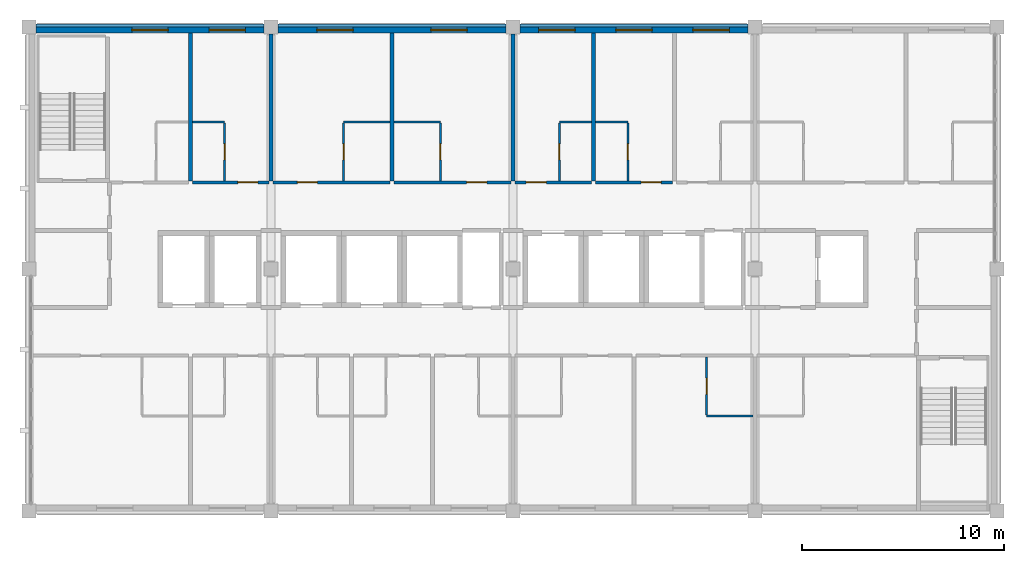
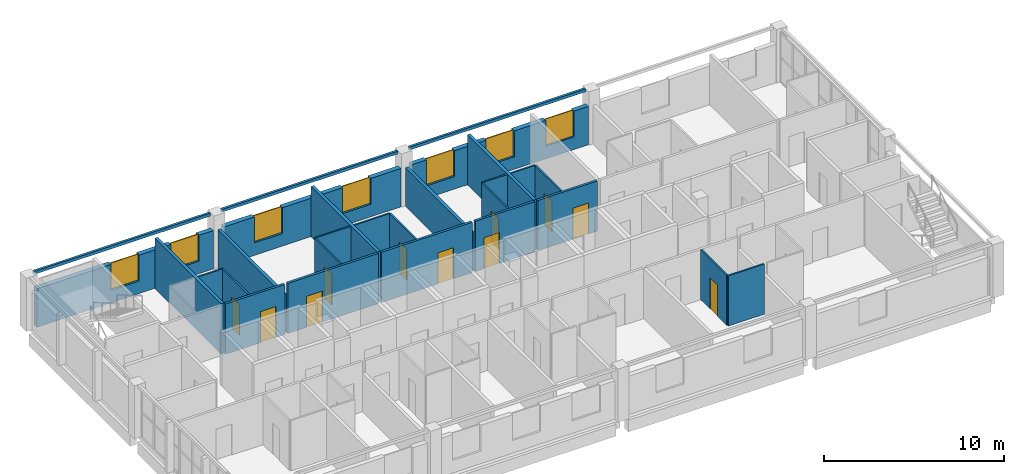
# One storey, part 8 of 11: 28 walls, 11 doors, 7 windows, 18 openings.
"""IFC4 building model written with IfcOpenShell, lengths in metres."""

from ifc_helpers import new_model, si_unit, direction, frame, frame_2d, origin, place, context, subcontext, project, spatial, rectangle, extrude, material, layer, layer_set, type_object, element, fill, save


model = new_model("IFC4")

# Units and contexts
model_context = context("Model", 3, precision=1e-05, world=origin(), true_north=direction((0.0, 1.0)))
body_context = subcontext(model_context, "Body", "Model", "MODEL_VIEW")
ifc_project = project(units=[si_unit("LENGTHUNIT", "METRE"), si_unit("AREAUNIT", "SQUARE_METRE"), si_unit("VOLUMEUNIT", "CUBIC_METRE"), si_unit("PLANEANGLEUNIT", "RADIAN"), si_unit("MASSUNIT", "GRAM", prefix="KILO")], contexts=[model_context])

# Site, building, storey
site_placement = place(None, origin())
site = spatial("IfcSite", under=ifc_project, at=site_placement, CompositionType="ELEMENT")
building_placement = place(site_placement, origin())
building = spatial("IfcBuilding", under=site, at=building_placement, Name="Lilac Gate Convention Centre", CompositionType="ELEMENT")
storey_placement = place(building_placement, frame((0.0, 0.0, 49.800048828125)))
storey = spatial("IfcBuildingStorey", under=building, at=storey_placement, Name="L12", CompositionType="ELEMENT", Elevation=49.800048828125)

# Wall, opening, door
ifc_material_1 = material(Name="Gypsum board on steel stud", Category="steel")
ifc_layer_1 = layer(ifc_material_1, 0.14990234375)
ifc_layer_set_1 = layer_set([ifc_layer_1], Name="Gypsum board on steel stud")
wall_type_1 = type_object("IfcWallType", Name="Corridor wall 150", PredefinedType="PARTITIONING", material=ifc_layer_set_1)
wall_1_placement = place(storey_placement, frame((50.10009765625, 238.300048828125, 0.0), z_axis=(0.0, 0.0, 1.0), x_axis=(1.0, 0.0, 0.0)))
wall_1 = element("IfcWall", 1, at=wall_1_placement, inside=storey, type_object=wall_type_1, Name="Corridor wall 150 front 1210", PredefinedType="PARTITIONING", context=body_context, shape_type="SweptSolid", body=[
    extrude(rectangle(XDim=3.7998046875, YDim=0.14990234375, at=frame_2d((1.89990234375, 0.0))), origin(), (0.0, 0.0, 1.0), 3.39990234375),
])
opening_1_placement = place(wall_1_placement, frame((2.25, 0.0, 0.0)))
opening_1 = element("IfcOpeningElement", 2, at=opening_1_placement, cuts=wall_1, Name="Opening T10-026", PredefinedType="OPENING", context=body_context, shape_type="SweptSolid", body=[
    extrude(rectangle(XDim=1.0, YDim=2.10009765625, at=frame_2d((0.5, 1.050048828125))), frame((0.0, 0.0849609375, 0.0), z_axis=(0.0, -1.0, 0.0), x_axis=(1.0, 0.0, 0.0)), (0.0, 0.0, 1.0), 0.169921875),
])
ifc_material_2 = material(Name="Timber", Category="wood")
door_type_1 = type_object("IfcDoorType", Name="Guest room entrance door 1000", OperationType="SINGLE_SWING_LEFT", PredefinedType="DOOR", material=ifc_material_2)
door_1_placement = place(opening_1_placement, origin())
door_1 = element("IfcDoor", 3, at=door_1_placement, inside=storey, type_object=door_type_1, Name="Guest room door 1210", OperationType="SINGLE_SWING_RIGHT", OverallHeight=2.10009765625, OverallWidth=1.0, PredefinedType="DOOR", context=body_context, shape_type="SweptSolid", body=[
    extrude(rectangle(XDim=1.0, YDim=2.10009765625, at=frame_2d((0.5, 1.050048828125))), frame((0.0, 0.02490234375, 0.0), z_axis=(0.0, -1.0, 0.0), x_axis=(1.0, 0.0, 0.0)), (0.0, 0.0, 1.0), 0.050048828125),
])
fill(opening_1, door_1)

wall_2_placement = place(storey_placement, frame((54.10009765625, 238.300048828125, 0.0), z_axis=(0.0, 0.0, 1.0), x_axis=(1.0, 0.0, 0.0)))
wall_2 = element("IfcWall", 4, at=wall_2_placement, inside=storey, type_object=wall_type_1, Name="Corridor wall 150 front 1211", PredefinedType="PARTITIONING", context=body_context, shape_type="SweptSolid", body=[
    extrude(rectangle(XDim=5.7998046875, YDim=0.14990234375, at=frame_2d((2.89990234375, 0.0))), origin(), (0.0, 0.0, 1.0), 3.39990234375),
])
opening_2_placement = place(wall_2_placement, frame((1.199951171875, 0.0, 0.0)))
opening_2 = element("IfcOpeningElement", 5, at=opening_2_placement, cuts=wall_2, Name="Opening T10-028", PredefinedType="OPENING", context=body_context, shape_type="SweptSolid", body=[
    extrude(rectangle(XDim=1.0, YDim=2.10009765625, at=frame_2d((0.5, 1.050048828125))), frame((0.0, 0.0849609375, 0.0), z_axis=(0.0, -1.0, 0.0), x_axis=(1.0, 0.0, 0.0)), (0.0, 0.0, 1.0), 0.169921875),
])
door_2_placement = place(opening_2_placement, origin())
door_2 = element("IfcDoor", 6, at=door_2_placement, inside=storey, type_object=door_type_1, Name="Guest room door 1211", OperationType="SINGLE_SWING_LEFT", OverallHeight=2.10009765625, OverallWidth=1.0, PredefinedType="DOOR", context=body_context, shape_type="SweptSolid", body=[
    extrude(rectangle(XDim=1.0, YDim=2.10009765625, at=frame_2d((0.5, 1.050048828125))), frame((0.0, 0.02490234375, 0.0), z_axis=(0.0, -1.0, 0.0), x_axis=(1.0, 0.0, 0.0)), (0.0, 0.0, 1.0), 0.050048828125),
])
fill(opening_2, door_2)

wall_3_placement = place(storey_placement, frame((60.10009765625, 238.300048828125, 0.0), z_axis=(0.0, 0.0, 1.0), x_axis=(1.0, 0.0, 0.0)))
wall_3 = element("IfcWall", 7, at=wall_3_placement, inside=storey, type_object=wall_type_1, Name="Corridor wall 150 front 1212", PredefinedType="PARTITIONING", context=body_context, shape_type="SweptSolid", body=[
    extrude(rectangle(XDim=5.7998046875, YDim=0.14990234375, at=frame_2d((2.89990234375, 0.0))), origin(), (0.0, 0.0, 1.0), 3.39990234375),
])
opening_3_placement = place(wall_3_placement, frame((3.60009765625, 0.0, 0.0)))
opening_3 = element("IfcOpeningElement", 8, at=opening_3_placement, cuts=wall_3, Name="Opening T10-030", PredefinedType="OPENING", context=body_context, shape_type="SweptSolid", body=[
    extrude(rectangle(XDim=1.0, YDim=2.10009765625, at=frame_2d((0.5, 1.050048828125))), frame((0.0, 0.0849609375, 0.0), z_axis=(0.0, -1.0, 0.0), x_axis=(1.0, 0.0, 0.0)), (0.0, 0.0, 1.0), 0.169921875),
])
door_3_placement = place(opening_3_placement, origin())
door_3 = element("IfcDoor", 9, at=door_3_placement, inside=storey, type_object=door_type_1, Name="Guest room door 1212", OperationType="SINGLE_SWING_RIGHT", OverallHeight=2.10009765625, OverallWidth=1.0, PredefinedType="DOOR", context=body_context, shape_type="SweptSolid", body=[
    extrude(rectangle(XDim=1.0, YDim=2.10009765625, at=frame_2d((0.5, 1.050048828125))), frame((0.0, 0.02490234375, 0.0), z_axis=(0.0, -1.0, 0.0), x_axis=(1.0, 0.0, 0.0)), (0.0, 0.0, 1.0), 0.050048828125),
])
fill(opening_3, door_3)

wall_4_placement = place(storey_placement, frame((66.10009765625, 238.300048828125, 0.0), z_axis=(0.0, 0.0, 1.0), x_axis=(1.0, 0.0, 0.0)))
wall_4 = element("IfcWall", 10, at=wall_4_placement, inside=storey, type_object=wall_type_1, Name="Corridor wall 150 front 1213", PredefinedType="PARTITIONING", context=body_context, shape_type="SweptSolid", body=[
    extrude(rectangle(XDim=3.7998046875, YDim=0.14990234375, at=frame_2d((1.89990234375, 0.0))), origin(), (0.0, 0.0, 1.0), 3.39990234375),
])
opening_4_placement = place(wall_4_placement, frame((0.550048828125, 0.0, 0.0)))
opening_4 = element("IfcOpeningElement", 11, at=opening_4_placement, cuts=wall_4, Name="Opening T10-032", PredefinedType="OPENING", context=body_context, shape_type="SweptSolid", body=[
    extrude(rectangle(XDim=1.0, YDim=2.10009765625, at=frame_2d((0.5, 1.050048828125))), frame((0.0, 0.0849609375, 0.0), z_axis=(0.0, -1.0, 0.0), x_axis=(1.0, 0.0, 0.0)), (0.0, 0.0, 1.0), 0.169921875),
])
door_4_placement = place(opening_4_placement, origin())
door_4 = element("IfcDoor", 12, at=door_4_placement, inside=storey, type_object=door_type_1, Name="Guest room door 1213", OperationType="SINGLE_SWING_LEFT", OverallHeight=2.10009765625, OverallWidth=1.0, PredefinedType="DOOR", context=body_context, shape_type="SweptSolid", body=[
    extrude(rectangle(XDim=1.0, YDim=2.10009765625, at=frame_2d((0.5, 1.050048828125))), frame((0.0, 0.02490234375, 0.0), z_axis=(0.0, -1.0, 0.0), x_axis=(1.0, 0.0, 0.0)), (0.0, 0.0, 1.0), 0.050048828125),
])
fill(opening_4, door_4)

wall_5_placement = place(storey_placement, frame((70.10009765625, 238.300048828125, 0.0), z_axis=(0.0, 0.0, 1.0), x_axis=(1.0, 0.0, 0.0)))
wall_5 = element("IfcWall", 13, at=wall_5_placement, inside=storey, type_object=wall_type_1, Name="Corridor wall 150 front 1214", PredefinedType="PARTITIONING", context=body_context, shape_type="SweptSolid", body=[
    extrude(rectangle(XDim=3.7998046875, YDim=0.14990234375, at=frame_2d((1.89990234375, 0.0))), origin(), (0.0, 0.0, 1.0), 3.39990234375),
])
opening_5_placement = place(wall_5_placement, frame((2.25, 0.0, 0.0)))
opening_5 = element("IfcOpeningElement", 14, at=opening_5_placement, cuts=wall_5, Name="Opening T10-034", PredefinedType="OPENING", context=body_context, shape_type="SweptSolid", body=[
    extrude(rectangle(XDim=1.0, YDim=2.10009765625, at=frame_2d((0.5, 1.050048828125))), frame((0.0, 0.0849609375, 0.0), z_axis=(0.0, -1.0, 0.0), x_axis=(1.0, 0.0, 0.0)), (0.0, 0.0, 1.0), 0.169921875),
])
door_5_placement = place(opening_5_placement, origin())
door_5 = element("IfcDoor", 15, at=door_5_placement, inside=storey, type_object=door_type_1, Name="Guest room door 1214", OperationType="SINGLE_SWING_LEFT", OverallHeight=2.10009765625, OverallWidth=1.0, PredefinedType="DOOR", context=body_context, shape_type="SweptSolid", body=[
    extrude(rectangle(XDim=1.0, YDim=2.10009765625, at=frame_2d((0.5, 1.050048828125))), frame((0.0, 0.02490234375, 0.0), z_axis=(0.0, -1.0, 0.0), x_axis=(1.0, 0.0, 0.0)), (0.0, 0.0, 1.0), 0.050048828125),
])
fill(opening_5, door_5)

# Wall
ifc_layer_2 = layer(ifc_material_1, 0.10009765625)
ifc_layer_set_2 = layer_set([ifc_layer_2], Name="Gypsum board on steel stud")
wall_type_2 = type_object("IfcWallType", Name="En-suite wall 100", PredefinedType="PARTITIONING", material=ifc_layer_set_2)
wall_6_placement = place(storey_placement, frame((75.60009765625, 226.699951171875, 0.0), z_axis=(0.0, 0.0, 1.0), x_axis=(1.0, 0.0, 0.0)))
element("IfcWall", 16, at=wall_6_placement, inside=storey, type_object=wall_type_2, Name="En-suite wall 100 bath 1207", PredefinedType="PARTITIONING", context=body_context, shape_type="SweptSolid", body=[
    extrude(rectangle(XDim=2.2998046875, YDim=0.10009765625, at=frame_2d((1.14990234375, 0.0))), origin(), (0.0, 0.0, 1.0), 3.39990234375),
])

# Wall, opening, door
wall_7_placement = place(storey_placement, frame((75.60009765625, 226.75, 0.0), z_axis=(0.0, 0.0, 1.0), x_axis=(0.0, 1.0, 0.0)))
wall_7 = element("IfcWall", 17, at=wall_7_placement, inside=storey, type_object=wall_type_2, Name="En-suite wall 100 bath side 1207", PredefinedType="PARTITIONING", context=body_context, shape_type="SweptSolid", body=[
    extrude(rectangle(XDim=2.875, YDim=0.10009765625, at=frame_2d((1.4375, 0.0))), origin(), (0.0, 0.0, 1.0), 3.39990234375),
])
opening_6_placement = place(wall_7_placement, frame((1.03759765625, 0.0, 0.0)))
opening_6 = element("IfcOpeningElement", 18, at=opening_6_placement, cuts=wall_7, Name="Opening T10-021", PredefinedType="OPENING", context=body_context, shape_type="SweptSolid", body=[
    extrude(rectangle(XDim=0.800048828125, YDim=2.10009765625, at=frame_2d((0.39990234375, 1.050048828125))), frame((0.0, 0.06005859375, 0.0), z_axis=(0.0, -1.0, 0.0), x_axis=(1.0, 0.0, 0.0)), (0.0, 0.0, 1.0), 0.1201171875),
])
door_type_2 = type_object("IfcDoorType", Name="En-suite door 800", OperationType="SINGLE_SWING_LEFT", PredefinedType="DOOR", material=ifc_material_2)
door_6_placement = place(opening_6_placement, origin())
door_6 = element("IfcDoor", 19, at=door_6_placement, inside=storey, type_object=door_type_2, Name="En-suite door 1207", OperationType="SINGLE_SWING_RIGHT", OverallHeight=2.10009765625, OverallWidth=0.800048828125, PredefinedType="DOOR", context=body_context, shape_type="SweptSolid", body=[
    extrude(rectangle(XDim=0.800048828125, YDim=2.10009765625, at=frame_2d((0.39990234375, 1.050048828125))), frame((0.0, 0.02490234375, 0.0), z_axis=(0.0, -1.0, 0.0), x_axis=(1.0, 0.0, 0.0)), (0.0, 0.0, 1.0), 0.050048828125),
])
fill(opening_6, door_6)

# Wall
wall_8_placement = place(storey_placement, frame((50.10009765625, 241.300048828125, 0.0), z_axis=(0.0, 0.0, 1.0), x_axis=(1.0, 0.0, 0.0)))
element("IfcWall", 20, at=wall_8_placement, inside=storey, type_object=wall_type_2, Name="En-suite wall 100 bath 1210", PredefinedType="PARTITIONING", context=body_context, shape_type="SweptSolid", body=[
    extrude(rectangle(XDim=1.599853515625, YDim=0.10009765625, at=frame_2d((0.7998046875, 0.0))), origin(), (0.0, 0.0, 1.0), 3.39990234375),
])

# Wall, opening, door
wall_9_placement = place(storey_placement, frame((51.699951171875, 241.25, 0.0), z_axis=(0.0, 0.0, 1.0), x_axis=(0.0, -1.0, 0.0)))
wall_9 = element("IfcWall", 21, at=wall_9_placement, inside=storey, type_object=wall_type_2, Name="En-suite wall 100 bath side 1210", PredefinedType="PARTITIONING", context=body_context, shape_type="SweptSolid", body=[
    extrude(rectangle(XDim=2.875, YDim=0.10009765625, at=frame_2d((1.4375, 0.0))), origin(), (0.0, 0.0, 1.0), 3.39990234375),
])
opening_7_placement = place(wall_9_placement, frame((1.03759765625, 0.0, 0.0)))
opening_7 = element("IfcOpeningElement", 22, at=opening_7_placement, cuts=wall_9, Name="Opening T10-027", PredefinedType="OPENING", context=body_context, shape_type="SweptSolid", body=[
    extrude(rectangle(XDim=0.800048828125, YDim=2.10009765625, at=frame_2d((0.39990234375, 1.050048828125))), frame((0.0, 0.06005859375, 0.0), z_axis=(0.0, -1.0, 0.0), x_axis=(1.0, 0.0, 0.0)), (0.0, 0.0, 1.0), 0.1201171875),
])
door_7_placement = place(opening_7_placement, origin())
door_7 = element("IfcDoor", 23, at=door_7_placement, inside=storey, type_object=door_type_2, Name="En-suite door 1210", OperationType="SINGLE_SWING_RIGHT", OverallHeight=2.10009765625, OverallWidth=0.800048828125, PredefinedType="DOOR", context=body_context, shape_type="SweptSolid", body=[
    extrude(rectangle(XDim=0.800048828125, YDim=2.10009765625, at=frame_2d((0.39990234375, 1.050048828125))), frame((0.0, 0.02490234375, 0.0), z_axis=(0.0, -1.0, 0.0), x_axis=(1.0, 0.0, 0.0)), (0.0, 0.0, 1.0), 0.050048828125),
])
fill(opening_7, door_7)

# Wall
wall_10_placement = place(storey_placement, frame((57.60009765625, 241.300048828125, 0.0), z_axis=(0.0, 0.0, 1.0), x_axis=(1.0, 0.0, 0.0)))
element("IfcWall", 24, at=wall_10_placement, inside=storey, type_object=wall_type_2, Name="En-suite wall 100 bath 1211", PredefinedType="PARTITIONING", context=body_context, shape_type="SweptSolid", body=[
    extrude(rectangle(XDim=2.2998046875, YDim=0.10009765625, at=frame_2d((1.14990234375, 0.0))), origin(), (0.0, 0.0, 1.0), 3.39990234375),
])

# Wall, opening, door
wall_11_placement = place(storey_placement, frame((57.60009765625, 238.375, 0.0), z_axis=(0.0, 0.0, 1.0), x_axis=(0.0, 1.0, 0.0)))
wall_11 = element("IfcWall", 25, at=wall_11_placement, inside=storey, type_object=wall_type_2, Name="En-suite wall 100 bath side 1211", PredefinedType="PARTITIONING", context=body_context, shape_type="SweptSolid", body=[
    extrude(rectangle(XDim=2.875, YDim=0.10009765625, at=frame_2d((1.4375, 0.0))), origin(), (0.0, 0.0, 1.0), 3.39990234375),
])
opening_8_placement = place(wall_11_placement, frame((1.03759765625, 0.0, 0.0)))
opening_8 = element("IfcOpeningElement", 26, at=opening_8_placement, cuts=wall_11, Name="Opening T10-029", PredefinedType="OPENING", context=body_context, shape_type="SweptSolid", body=[
    extrude(rectangle(XDim=0.800048828125, YDim=2.10009765625, at=frame_2d((0.39990234375, 1.050048828125))), frame((0.0, 0.06005859375, 0.0), z_axis=(0.0, -1.0, 0.0), x_axis=(1.0, 0.0, 0.0)), (0.0, 0.0, 1.0), 0.1201171875),
])
door_8_placement = place(opening_8_placement, origin())
door_8 = element("IfcDoor", 27, at=door_8_placement, inside=storey, type_object=door_type_2, Name="En-suite door 1211", OperationType="SINGLE_SWING_LEFT", OverallHeight=2.10009765625, OverallWidth=0.800048828125, PredefinedType="DOOR", context=body_context, shape_type="SweptSolid", body=[
    extrude(rectangle(XDim=0.800048828125, YDim=2.10009765625, at=frame_2d((0.39990234375, 1.050048828125))), frame((0.0, 0.02490234375, 0.0), z_axis=(0.0, -1.0, 0.0), x_axis=(1.0, 0.0, 0.0)), (0.0, 0.0, 1.0), 0.050048828125),
])
fill(opening_8, door_8)

# Wall
wall_12_placement = place(storey_placement, frame((60.10009765625, 241.300048828125, 0.0), z_axis=(0.0, 0.0, 1.0), x_axis=(1.0, 0.0, 0.0)))
element("IfcWall", 28, at=wall_12_placement, inside=storey, type_object=wall_type_2, Name="En-suite wall 100 bath 1212", PredefinedType="PARTITIONING", context=body_context, shape_type="SweptSolid", body=[
    extrude(rectangle(XDim=2.2998046875, YDim=0.10009765625, at=frame_2d((1.14990234375, 0.0))), origin(), (0.0, 0.0, 1.0), 3.39990234375),
])

# Wall, opening, door
wall_13_placement = place(storey_placement, frame((62.39990234375, 241.25, 0.0), z_axis=(0.0, 0.0, 1.0), x_axis=(0.0, -1.0, 0.0)))
wall_13 = element("IfcWall", 29, at=wall_13_placement, inside=storey, type_object=wall_type_2, Name="En-suite wall 100 bath side 1212", PredefinedType="PARTITIONING", context=body_context, shape_type="SweptSolid", body=[
    extrude(rectangle(XDim=2.875, YDim=0.10009765625, at=frame_2d((1.4375, 0.0))), origin(), (0.0, 0.0, 1.0), 3.39990234375),
])
opening_9_placement = place(wall_13_placement, frame((1.03759765625, 0.0, 0.0)))
opening_9 = element("IfcOpeningElement", 30, at=opening_9_placement, cuts=wall_13, Name="Opening T10-031", PredefinedType="OPENING", context=body_context, shape_type="SweptSolid", body=[
    extrude(rectangle(XDim=0.800048828125, YDim=2.10009765625, at=frame_2d((0.39990234375, 1.050048828125))), frame((0.0, 0.06005859375, 0.0), z_axis=(0.0, -1.0, 0.0), x_axis=(1.0, 0.0, 0.0)), (0.0, 0.0, 1.0), 0.1201171875),
])
door_9_placement = place(opening_9_placement, origin())
door_9 = element("IfcDoor", 31, at=door_9_placement, inside=storey, type_object=door_type_2, Name="En-suite door 1212", OperationType="SINGLE_SWING_RIGHT", OverallHeight=2.10009765625, OverallWidth=0.800048828125, PredefinedType="DOOR", context=body_context, shape_type="SweptSolid", body=[
    extrude(rectangle(XDim=0.800048828125, YDim=2.10009765625, at=frame_2d((0.39990234375, 1.050048828125))), frame((0.0, 0.02490234375, 0.0), z_axis=(0.0, -1.0, 0.0), x_axis=(1.0, 0.0, 0.0)), (0.0, 0.0, 1.0), 0.050048828125),
])
fill(opening_9, door_9)

# Wall
wall_14_placement = place(storey_placement, frame((68.300048828125, 241.300048828125, 0.0), z_axis=(0.0, 0.0, 1.0), x_axis=(1.0, 0.0, 0.0)))
element("IfcWall", 32, at=wall_14_placement, inside=storey, type_object=wall_type_2, Name="En-suite wall 100 bath 1213", PredefinedType="PARTITIONING", context=body_context, shape_type="SweptSolid", body=[
    extrude(rectangle(XDim=1.599853515625, YDim=0.10009765625, at=frame_2d((0.7998046875, 0.0))), origin(), (0.0, 0.0, 1.0), 3.39990234375),
])

# Wall, opening, door
wall_15_placement = place(storey_placement, frame((68.300048828125, 238.375, 0.0), z_axis=(0.0, 0.0, 1.0), x_axis=(0.0, 1.0, 0.0)))
wall_15 = element("IfcWall", 33, at=wall_15_placement, inside=storey, type_object=wall_type_2, Name="En-suite wall 100 bath side 1213", PredefinedType="PARTITIONING", context=body_context, shape_type="SweptSolid", body=[
    extrude(rectangle(XDim=2.875, YDim=0.10009765625, at=frame_2d((1.4375, 0.0))), origin(), (0.0, 0.0, 1.0), 3.39990234375),
])
opening_10_placement = place(wall_15_placement, frame((1.03759765625, 0.0, 0.0)))
opening_10 = element("IfcOpeningElement", 34, at=opening_10_placement, cuts=wall_15, Name="Opening T10-033", PredefinedType="OPENING", context=body_context, shape_type="SweptSolid", body=[
    extrude(rectangle(XDim=0.800048828125, YDim=2.10009765625, at=frame_2d((0.39990234375, 1.050048828125))), frame((0.0, 0.06005859375, 0.0), z_axis=(0.0, -1.0, 0.0), x_axis=(1.0, 0.0, 0.0)), (0.0, 0.0, 1.0), 0.1201171875),
])
door_10_placement = place(opening_10_placement, origin())
door_10 = element("IfcDoor", 35, at=door_10_placement, inside=storey, type_object=door_type_2, Name="En-suite door 1213", OperationType="SINGLE_SWING_LEFT", OverallHeight=2.10009765625, OverallWidth=0.800048828125, PredefinedType="DOOR", context=body_context, shape_type="SweptSolid", body=[
    extrude(rectangle(XDim=0.800048828125, YDim=2.10009765625, at=frame_2d((0.39990234375, 1.050048828125))), frame((0.0, 0.02490234375, 0.0), z_axis=(0.0, -1.0, 0.0), x_axis=(1.0, 0.0, 0.0)), (0.0, 0.0, 1.0), 0.050048828125),
])
fill(opening_10, door_10)

# Wall
wall_16_placement = place(storey_placement, frame((70.10009765625, 241.300048828125, 0.0), z_axis=(0.0, 0.0, 1.0), x_axis=(1.0, 0.0, 0.0)))
element("IfcWall", 36, at=wall_16_placement, inside=storey, type_object=wall_type_2, Name="En-suite wall 100 bath 1214", PredefinedType="PARTITIONING", context=body_context, shape_type="SweptSolid", body=[
    extrude(rectangle(XDim=1.599853515625, YDim=0.10009765625, at=frame_2d((0.7998046875, 0.0))), origin(), (0.0, 0.0, 1.0), 3.39990234375),
])

# Wall, opening, door
wall_17_placement = place(storey_placement, frame((71.699951171875, 241.25, 0.0), z_axis=(0.0, 0.0, 1.0), x_axis=(0.0, -1.0, 0.0)))
wall_17 = element("IfcWall", 37, at=wall_17_placement, inside=storey, type_object=wall_type_2, Name="En-suite wall 100 bath side 1214", PredefinedType="PARTITIONING", context=body_context, shape_type="SweptSolid", body=[
    extrude(rectangle(XDim=2.875, YDim=0.10009765625, at=frame_2d((1.4375, 0.0))), origin(), (0.0, 0.0, 1.0), 3.39990234375),
])
opening_11_placement = place(wall_17_placement, frame((1.03759765625, 0.0, 0.0)))
opening_11 = element("IfcOpeningElement", 38, at=opening_11_placement, cuts=wall_17, Name="Opening T10-035", PredefinedType="OPENING", context=body_context, shape_type="SweptSolid", body=[
    extrude(rectangle(XDim=0.800048828125, YDim=2.10009765625, at=frame_2d((0.39990234375, 1.050048828125))), frame((0.0, 0.06005859375, 0.0), z_axis=(0.0, -1.0, 0.0), x_axis=(1.0, 0.0, 0.0)), (0.0, 0.0, 1.0), 0.1201171875),
])
door_11_placement = place(opening_11_placement, origin())
door_11 = element("IfcDoor", 39, at=door_11_placement, inside=storey, type_object=door_type_2, Name="En-suite door 1214", OperationType="SINGLE_SWING_RIGHT", OverallHeight=2.10009765625, OverallWidth=0.800048828125, PredefinedType="DOOR", context=body_context, shape_type="SweptSolid", body=[
    extrude(rectangle(XDim=0.800048828125, YDim=2.10009765625, at=frame_2d((0.39990234375, 1.050048828125))), frame((0.0, 0.02490234375, 0.0), z_axis=(0.0, -1.0, 0.0), x_axis=(1.0, 0.0, 0.0)), (0.0, 0.0, 1.0), 0.050048828125),
])
fill(opening_11, door_11)

# Walls
ifc_layer_3 = layer(ifc_material_1, 0.199951171875)
ifc_layer_set_3 = layer_set([ifc_layer_3], Name="Gypsum board on steel stud")
wall_type_3 = type_object("IfcWallType", Name="Guest room party wall 200", PredefinedType="PARTITIONING", material=ifc_layer_set_3)
wall_18_placement = place(storey_placement, frame((50.0, 245.7001953125, 0.0), z_axis=(0.0, 0.0, 1.0), x_axis=(0.0, -1.0, 0.0)))
element("IfcWall", 40, at=wall_18_placement, inside=storey, type_object=wall_type_3, Name="Guest room party wall 200 party 50.0", PredefinedType="PARTITIONING", context=body_context, shape_type="SweptSolid", body=[
    extrude(rectangle(XDim=7.3251953125, YDim=0.199951171875, at=frame_2d((3.66259765625, 0.0))), origin(), (0.0, 0.0, 1.0), 3.39990234375),
])
wall_19_placement = place(storey_placement, frame((54.0, 245.64990234375, 0.0), z_axis=(0.0, 0.0, 1.0), x_axis=(0.0, -1.0, 0.0)))
element("IfcWall", 41, at=wall_19_placement, inside=storey, type_object=wall_type_3, Name="Guest room party wall 200 party 54.0", PredefinedType="PARTITIONING", context=body_context, shape_type="SweptSolid", body=[
    extrude(rectangle(XDim=7.27490234375, YDim=0.199951171875, at=frame_2d((3.637451171875, 0.0))), origin(), (0.0, 0.0, 1.0), 2.599853515625),
])
wall_20_placement = place(storey_placement, frame((60.0, 245.7001953125, 0.0), z_axis=(0.0, 0.0, 1.0), x_axis=(0.0, -1.0, 0.0)))
element("IfcWall", 42, at=wall_20_placement, inside=storey, type_object=wall_type_3, Name="Guest room party wall 200 party 60.0", PredefinedType="PARTITIONING", context=body_context, shape_type="SweptSolid", body=[
    extrude(rectangle(XDim=7.3251953125, YDim=0.199951171875, at=frame_2d((3.66259765625, 0.0))), origin(), (0.0, 0.0, 1.0), 3.39990234375),
])
wall_21_placement = place(storey_placement, frame((66.0, 245.64990234375, 0.0), z_axis=(0.0, 0.0, 1.0), x_axis=(0.0, -1.0, 0.0)))
element("IfcWall", 43, at=wall_21_placement, inside=storey, type_object=wall_type_3, Name="Guest room party wall 200 party 66.0", PredefinedType="PARTITIONING", context=body_context, shape_type="SweptSolid", body=[
    extrude(rectangle(XDim=7.27490234375, YDim=0.199951171875, at=frame_2d((3.637451171875, 0.0))), origin(), (0.0, 0.0, 1.0), 2.599853515625),
])
wall_22_placement = place(storey_placement, frame((70.0, 245.7001953125, 0.0), z_axis=(0.0, 0.0, 1.0), x_axis=(0.0, -1.0, 0.0)))
element("IfcWall", 44, at=wall_22_placement, inside=storey, type_object=wall_type_3, Name="Guest room party wall 200 party 70.0", PredefinedType="PARTITIONING", context=body_context, shape_type="SweptSolid", body=[
    extrude(rectangle(XDim=7.3251953125, YDim=0.199951171875, at=frame_2d((3.66259765625, 0.0))), origin(), (0.0, 0.0, 1.0), 3.39990234375),
])
ifc_material_3 = material(Name="Concrete C40 precast", Category="concrete")
ifc_layer_4 = layer(ifc_material_3, 0.1298828125)
ifc_material_4 = material(Name="Teal glazed cladding")
ifc_layer_5 = layer(ifc_material_4, 0.02001953125)
ifc_layer_set_4 = layer_set([ifc_layer_4, ifc_layer_5], Name="Concrete C40 precast, Teal glazed cladding")
wall_type_4 = type_object("IfcWallType", Name="Precast band teal 150", PredefinedType="STANDARD", material=ifc_layer_set_4)
for number, where, z_axis, x_axis, name in (
    (45, (77.64990234375, 246.074951171875, 3.39990234375), (0.0, 0.0, 1.0), (-1.0, 0.0, 0.0), "Precast band N L12 2"),
    (46, (65.64990234375, 246.074951171875, 3.39990234375), (0.0, 0.0, 1.0), (-1.0, 0.0, 0.0), "Precast band N L12 3"),
    (47, (53.64990234375, 246.074951171875, 3.39990234375), (0.0, 0.0, 1.0), (-1.0, 0.0, 0.0), "Precast band N L12 4"),
):
    element("IfcWall", number, at=place(storey_placement, frame(where, z_axis=z_axis, x_axis=x_axis)), inside=storey, type_object=wall_type_4, Name=name, PredefinedType="STANDARD", context=body_context, shape_type="SweptSolid", body=[
        extrude(rectangle(XDim=11.2998046875, YDim=0.14990234375, at=frame_2d((5.64990234375, 0.0))), origin(), (0.0, 0.0, 1.0), 0.199951171875),
    ])

# Wall, openings, windows
ifc_material_5 = material(Name="Ochre mineral render")
ifc_layer_6 = layer(ifc_material_5, 0.02001953125)
ifc_layer_7 = layer(ifc_material_3, 0.06005859375)
ifc_material_6 = material(Name="Ventilated air cavity")
ifc_layer_8 = layer(ifc_material_6, 0.030029296875)
ifc_material_7 = material(Name="Mineral wool insulation")
ifc_layer_9 = layer(ifc_material_7, 0.1201171875)
ifc_material_8 = material(Name="Steel stud Q345 and gypsum lining", Category="steel")
ifc_layer_10 = layer(ifc_material_8, 0.070068359375)
ifc_layer_set_5 = layer_set([ifc_layer_6, ifc_layer_7, ifc_layer_8, ifc_layer_9, ifc_layer_10], Name="Ochre mineral render, Concrete C40 precast, Ventilated air cavity, Mineral wool insulation, Steel stud Q345 and gypsum lining")
wall_type_5 = type_object("IfcWallType", Name="Precast panel wall ochre 300", PredefinedType="STANDARD", material=ifc_layer_set_5)
wall_23_placement = place(storey_placement, frame((77.64990234375, 245.85009765625, 0.0), z_axis=(0.0, 0.0, 1.0), x_axis=(-1.0, 0.0, 0.0)))
wall_23 = element("IfcWall", 48, at=wall_23_placement, inside=storey, type_object=wall_type_5, Name="External wall N L12 2", PredefinedType="STANDARD", context=body_context, shape_type="SweptSolid", body=[
    extrude(rectangle(XDim=11.2998046875, YDim=0.300048828125, at=frame_2d((5.64990234375, 0.0))), origin(), (0.0, 0.0, 1.0), 2.599853515625),
])
opening_12_placement = place(wall_23_placement, frame((8.574951171875, 0.0, 0.85009765625)))
opening_12 = element("IfcOpeningElement", 49, at=opening_12_placement, cuts=wall_23, Name="Opening W1", PredefinedType="OPENING", context=body_context, shape_type="SweptSolid", body=[
    extrude(rectangle(XDim=1.800048828125, YDim=1.75, at=frame_2d((0.89990234375, 0.875))), frame((0.0, 0.159912109375, 0.0), z_axis=(0.0, -1.0, 0.0), x_axis=(1.0, 0.0, 0.0)), (0.0, 0.0, 1.0), 0.320068359375),
])
opening_13_placement = place(wall_23_placement, frame((4.75, 0.0, 0.85009765625)))
opening_13 = element("IfcOpeningElement", 50, at=opening_13_placement, cuts=wall_23, Name="Opening W1", PredefinedType="OPENING", context=body_context, shape_type="SweptSolid", body=[
    extrude(rectangle(XDim=1.800048828125, YDim=1.75, at=frame_2d((0.89990234375, 0.875))), frame((0.0, 0.159912109375, 0.0), z_axis=(0.0, -1.0, 0.0), x_axis=(1.0, 0.0, 0.0)), (0.0, 0.0, 1.0), 0.320068359375),
])
opening_14_placement = place(wall_23_placement, frame((0.925048828125, 0.0, 0.85009765625)))
opening_14 = element("IfcOpeningElement", 51, at=opening_14_placement, cuts=wall_23, Name="Opening W1", PredefinedType="OPENING", context=body_context, shape_type="SweptSolid", body=[
    extrude(rectangle(XDim=1.800048828125, YDim=1.75, at=frame_2d((0.89990234375, 0.875))), frame((0.0, 0.159912109375, 0.0), z_axis=(0.0, -1.0, 0.0), x_axis=(1.0, 0.0, 0.0)), (0.0, 0.0, 1.0), 0.320068359375),
])
ifc_material_9 = material(Name="Aluminium framed double glazing", Category="aluminium")
window_type = type_object("IfcWindowType", Name="Guest room window 1800 x 1750", PartitioningType="DOUBLE_PANEL_VERTICAL", PredefinedType="WINDOW", material=ifc_material_9)
window_1_placement = place(opening_12_placement, origin())
window_1 = element("IfcWindow", 52, at=window_1_placement, inside=storey, type_object=window_type, Name="Window Guest N L12", OverallHeight=1.75, OverallWidth=1.800048828125, PartitioningType="SINGLE_PANEL", PredefinedType="WINDOW", context=body_context, shape_type="SweptSolid", body=[
    extrude(rectangle(XDim=1.800048828125, YDim=1.75, at=frame_2d((0.89990234375, 0.875))), frame((0.0, 0.030029296875, 0.0), z_axis=(0.0, -1.0, 0.0), x_axis=(1.0, 0.0, 0.0)), (0.0, 0.0, 1.0), 0.06005859375),
])
fill(opening_12, window_1)
window_2_placement = place(opening_13_placement, origin())
window_2 = element("IfcWindow", 53, at=window_2_placement, inside=storey, type_object=window_type, Name="Window Guest N L12", OverallHeight=1.75, OverallWidth=1.800048828125, PartitioningType="SINGLE_PANEL", PredefinedType="WINDOW", context=body_context, shape_type="SweptSolid", body=[
    extrude(rectangle(XDim=1.800048828125, YDim=1.75, at=frame_2d((0.89990234375, 0.875))), frame((0.0, 0.030029296875, 0.0), z_axis=(0.0, -1.0, 0.0), x_axis=(1.0, 0.0, 0.0)), (0.0, 0.0, 1.0), 0.06005859375),
])
fill(opening_13, window_2)
window_3_placement = place(opening_14_placement, origin())
window_3 = element("IfcWindow", 54, at=window_3_placement, inside=storey, type_object=window_type, Name="Window Guest N L12", OverallHeight=1.75, OverallWidth=1.800048828125, PartitioningType="SINGLE_PANEL", PredefinedType="WINDOW", context=body_context, shape_type="SweptSolid", body=[
    extrude(rectangle(XDim=1.800048828125, YDim=1.75, at=frame_2d((0.89990234375, 0.875))), frame((0.0, 0.030029296875, 0.0), z_axis=(0.0, -1.0, 0.0), x_axis=(1.0, 0.0, 0.0)), (0.0, 0.0, 1.0), 0.06005859375),
])
fill(opening_14, window_3)

wall_24_placement = place(storey_placement, frame((65.64990234375, 245.85009765625, 0.0), z_axis=(0.0, 0.0, 1.0), x_axis=(-1.0, 0.0, 0.0)))
wall_24 = element("IfcWall", 55, at=wall_24_placement, inside=storey, type_object=wall_type_5, Name="External wall N L12 3", PredefinedType="STANDARD", context=body_context, shape_type="SweptSolid", body=[
    extrude(rectangle(XDim=11.2998046875, YDim=0.300048828125, at=frame_2d((5.64990234375, 0.0))), origin(), (0.0, 0.0, 1.0), 2.599853515625),
])
opening_15_placement = place(wall_24_placement, frame((7.574951171875, 0.0, 0.85009765625)))
opening_15 = element("IfcOpeningElement", 56, at=opening_15_placement, cuts=wall_24, Name="Opening W1", PredefinedType="OPENING", context=body_context, shape_type="SweptSolid", body=[
    extrude(rectangle(XDim=1.800048828125, YDim=1.75, at=frame_2d((0.89990234375, 0.875))), frame((0.0, 0.159912109375, 0.0), z_axis=(0.0, -1.0, 0.0), x_axis=(1.0, 0.0, 0.0)), (0.0, 0.0, 1.0), 0.320068359375),
])
opening_16_placement = place(wall_24_placement, frame((1.925048828125, 0.0, 0.85009765625)))
opening_16 = element("IfcOpeningElement", 57, at=opening_16_placement, cuts=wall_24, Name="Opening W1", PredefinedType="OPENING", context=body_context, shape_type="SweptSolid", body=[
    extrude(rectangle(XDim=1.800048828125, YDim=1.75, at=frame_2d((0.89990234375, 0.875))), frame((0.0, 0.159912109375, 0.0), z_axis=(0.0, -1.0, 0.0), x_axis=(1.0, 0.0, 0.0)), (0.0, 0.0, 1.0), 0.320068359375),
])
window_4_placement = place(opening_15_placement, origin())
window_4 = element("IfcWindow", 58, at=window_4_placement, inside=storey, type_object=window_type, Name="Window Guest N L12", OverallHeight=1.75, OverallWidth=1.800048828125, PartitioningType="SINGLE_PANEL", PredefinedType="WINDOW", context=body_context, shape_type="SweptSolid", body=[
    extrude(rectangle(XDim=1.800048828125, YDim=1.75, at=frame_2d((0.89990234375, 0.875))), frame((0.0, 0.030029296875, 0.0), z_axis=(0.0, -1.0, 0.0), x_axis=(1.0, 0.0, 0.0)), (0.0, 0.0, 1.0), 0.06005859375),
])
fill(opening_15, window_4)
window_5_placement = place(opening_16_placement, origin())
window_5 = element("IfcWindow", 59, at=window_5_placement, inside=storey, type_object=window_type, Name="Window Guest N L12", OverallHeight=1.75, OverallWidth=1.800048828125, PartitioningType="SINGLE_PANEL", PredefinedType="WINDOW", context=body_context, shape_type="SweptSolid", body=[
    extrude(rectangle(XDim=1.800048828125, YDim=1.75, at=frame_2d((0.89990234375, 0.875))), frame((0.0, 0.030029296875, 0.0), z_axis=(0.0, -1.0, 0.0), x_axis=(1.0, 0.0, 0.0)), (0.0, 0.0, 1.0), 0.06005859375),
])
fill(opening_16, window_5)

wall_25_placement = place(storey_placement, frame((53.64990234375, 245.85009765625, 0.0), z_axis=(0.0, 0.0, 1.0), x_axis=(-1.0, 0.0, 0.0)))
wall_25 = element("IfcWall", 60, at=wall_25_placement, inside=storey, type_object=wall_type_5, Name="External wall N L12 4", PredefinedType="STANDARD", context=body_context, shape_type="SweptSolid", body=[
    extrude(rectangle(XDim=11.2998046875, YDim=0.300048828125, at=frame_2d((5.64990234375, 0.0))), origin(), (0.0, 0.0, 1.0), 2.599853515625),
])
opening_17_placement = place(wall_25_placement, frame((4.75, 0.0, 0.85009765625)))
opening_17 = element("IfcOpeningElement", 61, at=opening_17_placement, cuts=wall_25, Name="Opening W1", PredefinedType="OPENING", context=body_context, shape_type="SweptSolid", body=[
    extrude(rectangle(XDim=1.800048828125, YDim=1.75, at=frame_2d((0.89990234375, 0.875))), frame((0.0, 0.159912109375, 0.0), z_axis=(0.0, -1.0, 0.0), x_axis=(1.0, 0.0, 0.0)), (0.0, 0.0, 1.0), 0.320068359375),
])
opening_18_placement = place(wall_25_placement, frame((0.925048828125, 0.0, 0.85009765625)))
opening_18 = element("IfcOpeningElement", 62, at=opening_18_placement, cuts=wall_25, Name="Opening W1", PredefinedType="OPENING", context=body_context, shape_type="SweptSolid", body=[
    extrude(rectangle(XDim=1.800048828125, YDim=1.75, at=frame_2d((0.89990234375, 0.875))), frame((0.0, 0.159912109375, 0.0), z_axis=(0.0, -1.0, 0.0), x_axis=(1.0, 0.0, 0.0)), (0.0, 0.0, 1.0), 0.320068359375),
])
window_6_placement = place(opening_17_placement, origin())
window_6 = element("IfcWindow", 63, at=window_6_placement, inside=storey, type_object=window_type, Name="Window Guest N L12", OverallHeight=1.75, OverallWidth=1.800048828125, PartitioningType="SINGLE_PANEL", PredefinedType="WINDOW", context=body_context, shape_type="SweptSolid", body=[
    extrude(rectangle(XDim=1.800048828125, YDim=1.75, at=frame_2d((0.89990234375, 0.875))), frame((0.0, 0.030029296875, 0.0), z_axis=(0.0, -1.0, 0.0), x_axis=(1.0, 0.0, 0.0)), (0.0, 0.0, 1.0), 0.06005859375),
])
fill(opening_17, window_6)
window_7_placement = place(opening_18_placement, origin())
window_7 = element("IfcWindow", 64, at=window_7_placement, inside=storey, type_object=window_type, Name="Window Guest N L12", OverallHeight=1.75, OverallWidth=1.800048828125, PartitioningType="SINGLE_PANEL", PredefinedType="WINDOW", context=body_context, shape_type="SweptSolid", body=[
    extrude(rectangle(XDim=1.800048828125, YDim=1.75, at=frame_2d((0.89990234375, 0.875))), frame((0.0, 0.030029296875, 0.0), z_axis=(0.0, -1.0, 0.0), x_axis=(1.0, 0.0, 0.0)), (0.0, 0.0, 1.0), 0.06005859375),
])
fill(opening_18, window_7)

save(model, "model.ifc")
